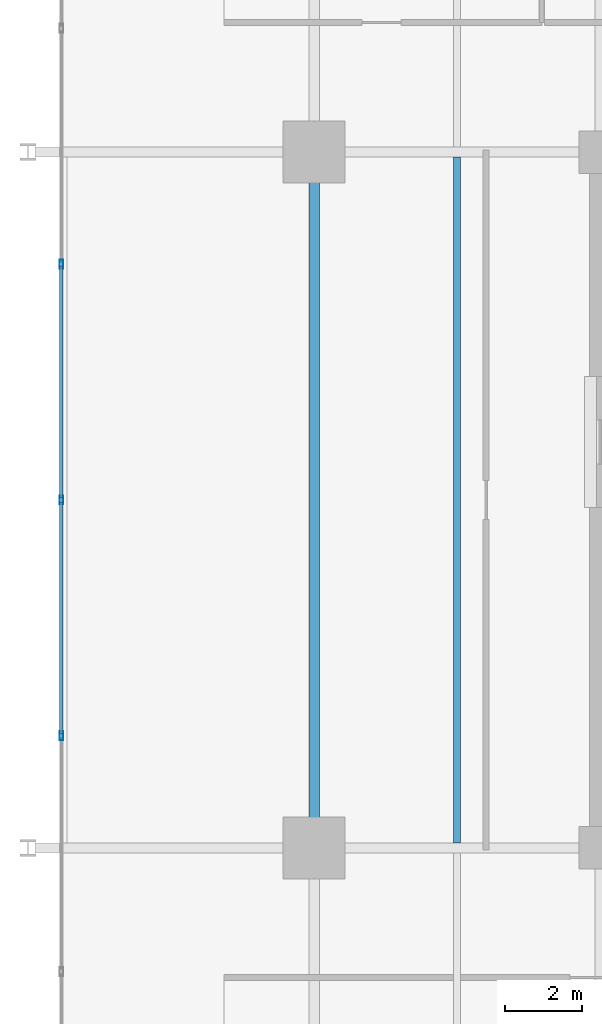
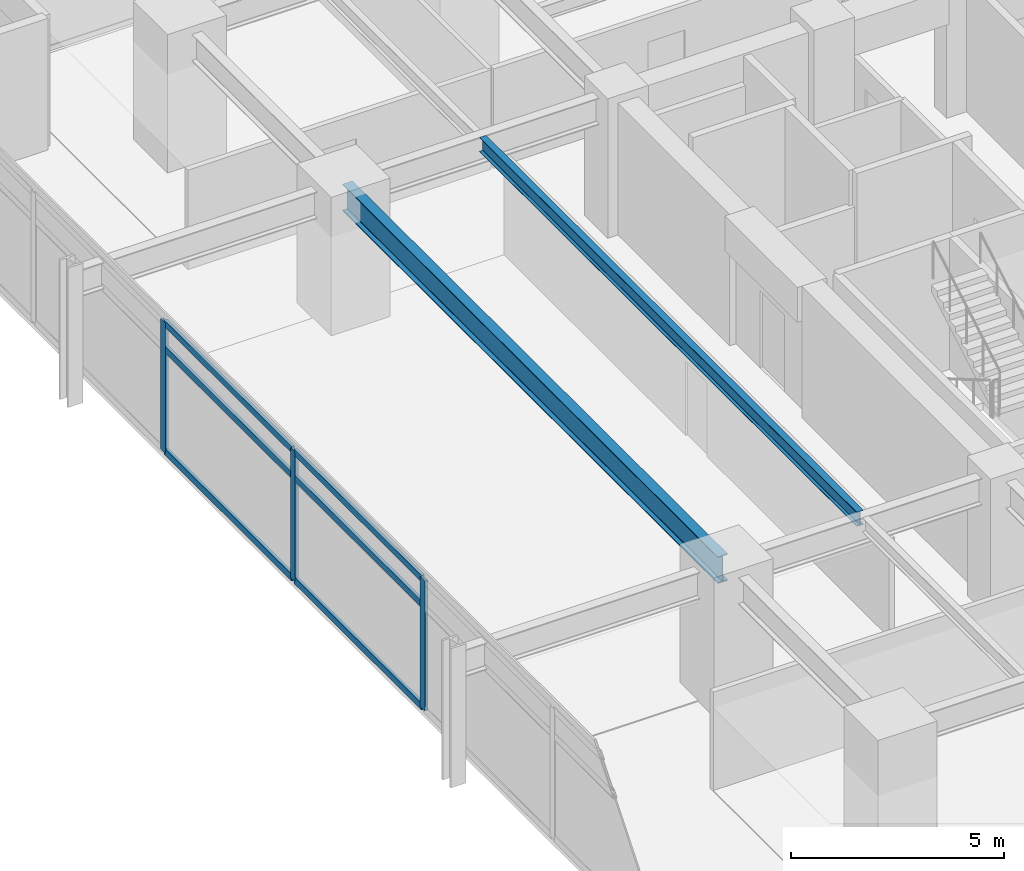
# One storey, part 4 of 21: 9 members, 2 beams, 1 element without a shape of its own.
"""IFC4 building model written with IfcOpenShell, lengths in metres."""

import ifcopenshell
import ifcopenshell.guid

model = None  # the IFC model being written
_history = None  # IfcOwnerHistory: only IFC2X3 demands one
_inside = {}  # id of a spatial element -> (the spatial element, [elements in it])
_under = {}  # id of a project, library or spatial element -> (it, [spatial elements below it])
_declared = {}  # id of a project -> (the project, [libraries it declares])
_typed = {}  # id of a type object -> (the type object, [elements of that type])
_made_of = {}  # id of a material, layer set ... -> (it, [elements and type objects made of it])


def new_model(schema):
    """Start an empty IFC model of exactly this schema.

    Asked for "IFC4X3", IfcOpenShell would pick the latest addendum, in which some entities
    have other attributes; the version numbers below select the first issue.
    IFC2X3 requires an IfcOwnerHistory on every rooted entity: one is made here for all.
    """
    global model, _history
    if schema == "IFC4X3":
        model = ifcopenshell.file(schema_version=(4, 3, 0, 0))
    else:
        model = ifcopenshell.file(schema=schema)
    _inside.clear()
    _under.clear()
    _declared.clear()
    _typed.clear()
    _made_of.clear()
    _history = None
    if model.schema == "IFC2X3":
        org = make("IfcOrganization", Name="unknown")
        user = make(
            "IfcPersonAndOrganization",
            ThePerson=make("IfcPerson", FamilyName="unknown"),
            TheOrganization=org,
        )
        app = make(
            "IfcApplication",
            ApplicationDeveloper=org,
            Version="unknown",
            ApplicationFullName="unknown",
            ApplicationIdentifier="unknown",
        )
        _history = make(
            "IfcOwnerHistory",
            OwningUser=user,
            OwningApplication=app,
            ChangeAction="ADDED",
            CreationDate=0,
        )
    return model


def make(cls, **values):
    """One entity of the class cls with the attributes given. An attribute that is None is left unset."""
    return model.create_entity(
        cls, **{name: value for name, value in values.items() if value is not None}
    )


def rooted(cls, **values):
    """An entity with a GlobalId (a new one), such as an element, a storey or a relation."""
    return make(cls, GlobalId=ifcopenshell.guid.new(), OwnerHistory=_history, **values)


def si_unit(unit_type, name, prefix=None):
    """IfcSIUnit, for example si_unit("LENGTHUNIT", "METRE", prefix="MILLI")."""
    return make("IfcSIUnit", UnitType=unit_type, Prefix=prefix, Name=name)


def assignment(units):
    """IfcUnitAssignment: the units of a project."""
    return None if units is None else make("IfcUnitAssignment", Units=units)


def point(xyz):
    """IfcCartesianPoint."""
    return None if xyz is None else make("IfcCartesianPoint", Coordinates=xyz)


def direction(xyz):
    """IfcDirection."""
    return None if xyz is None else make("IfcDirection", DirectionRatios=xyz)


def frame(location, z_axis=None, x_axis=None):
    """IfcAxis2Placement3D, a coordinate frame: its origin and axes. An axis left out is left unset."""
    return make(
        "IfcAxis2Placement3D",
        Location=point(location),
        Axis=direction(z_axis),
        RefDirection=direction(x_axis),
    )


def frame_2d(location, x_axis=None):
    """IfcAxis2Placement2D, a coordinate frame in the plane: its origin and x axis."""
    return make(
        "IfcAxis2Placement2D", Location=point(location), RefDirection=direction(x_axis)
    )


def origin():
    """The frame at (0, 0, 0) with its axes left unset."""
    return frame((0.0, 0.0, 0.0))


def origin_2d():
    """The frame at (0, 0) in the plane with its x axis left unset."""
    return frame_2d((0.0, 0.0))


def place(relative_to, where):
    """IfcLocalPlacement: puts the frame where relative to a parent placement (None: the world)."""
    return make(
        "IfcLocalPlacement", PlacementRelTo=relative_to, RelativePlacement=where
    )


def context(
    kind, dimensions, precision=None, world=None, true_north=None, identifier=None
):
    """IfcGeometricRepresentationContext, for example the 3D "Model" context."""
    return make(
        "IfcGeometricRepresentationContext",
        ContextIdentifier=identifier,
        ContextType=kind,
        CoordinateSpaceDimension=dimensions,
        Precision=precision,
        WorldCoordinateSystem=world,
        TrueNorth=true_north,
    )


def subcontext(parent, identifier, kind, view, scale=None):
    """IfcGeometricRepresentationSubContext, for example "Body" below "Model"."""
    return make(
        "IfcGeometricRepresentationSubContext",
        ContextIdentifier=identifier,
        ContextType=kind,
        ParentContext=parent,
        TargetScale=scale,
        TargetView=view,
    )


def project(units=None, contexts=None):
    """IfcProject with its units and contexts."""
    return rooted(
        "IfcProject",
        Name="project",
        RepresentationContexts=contexts,
        UnitsInContext=assignment(units),
    )


def spatial(cls, under=None, at=None, **own):
    """A site, building, storey or space (cls), placed at a placement, below another one or the project."""
    s = rooted(cls, ObjectPlacement=at, **own)
    if under is not None:
        _under.setdefault(under.id(), (under, []))[1].append(s)
    return s


def profile(cls, at=None, kind="AREA", **sizes):
    """A parametric profile (cls). Its sizes go by their IFC names, for example OverallWidth=200.0."""
    return make(cls, ProfileType=kind, Position=at, **sizes)


def hollow_rectangle(**sizes):
    """IfcRectangleHollowProfileDef."""
    return profile("IfcRectangleHollowProfileDef", **sizes)


def i_section(**sizes):
    """IfcIShapeProfileDef."""
    return profile("IfcIShapeProfileDef", **sizes)


def extrude(swept, where, along, depth):
    """IfcExtrudedAreaSolid: the profile swept, set in the frame where, extruded along a direction by depth."""
    return make(
        "IfcExtrudedAreaSolid",
        SweptArea=swept,
        Position=where,
        ExtrudedDirection=direction(along),
        Depth=depth,
    )


def shape(context_of_items, identifier, shape_type, items):
    """IfcShapeRepresentation: the items that make up one representation, for example the "Body"."""
    return make(
        "IfcShapeRepresentation",
        ContextOfItems=context_of_items,
        RepresentationIdentifier=identifier,
        RepresentationType=shape_type,
        Items=items,
    )


def material(Name=None, Category=None):
    """IfcMaterial."""
    return make("IfcMaterial", Name=Name, Category=Category)


def material_profile(
    of_material, cross_section, Name=None, Category=None, Priority=None
):
    """IfcMaterialProfile: a cross section and its material."""
    return make(
        "IfcMaterialProfile",
        Name=Name,
        Material=of_material,
        Profile=cross_section,
        Priority=Priority,
        Category=Category,
    )


def profile_set(profiles, Name=None, composite=None):
    """IfcMaterialProfileSet."""
    return make(
        "IfcMaterialProfileSet",
        Name=Name,
        MaterialProfiles=profiles,
        CompositeProfile=composite,
    )


def made_of(thing, what):
    """Note that an element or type object is made of a material, layer set ...; save() writes the relation."""
    if what is not None:
        _made_of.setdefault(what.id(), (what, []))[1].append(thing)
    return thing


def type_object(cls, material=None, **own):
    """A type object (cls), such as IfcWallType, which elements share."""
    return made_of(rooted(cls, **own), material)


def element(
    cls,
    number,
    at=None,
    inside=None,
    cuts=None,
    type_object=None,
    material=None,
    context=None,
    identifier="Body",
    shape_type=None,
    held_by="IfcProductDefinitionShape",
    body=None,
    shapes=None,
    **own,
):
    """One element of the class cls, such as IfcWall. Its Tag is "e" and its number.

    at: its placement. inside: the storey or other place that contains it. cuts: it is an
    opening in that element (IfcRelVoidsElement). A single representation is given by context,
    identifier, shape_type and body (its items); several are given by shapes. held_by: the class
    of the entity that holds the representations. save() writes the other relations.
    """
    e = rooted(cls, Tag="e%d" % number, ObjectPlacement=at, **own)
    if body is not None:
        shapes = [shape(context, identifier, shape_type, body)]
    if shapes is not None:
        e.Representation = make(held_by, Representations=shapes)
    if inside is not None:
        _inside.setdefault(inside.id(), (inside, []))[1].append(e)
    if cuts is not None:
        rooted(
            "IfcRelVoidsElement", RelatingBuildingElement=cuts, RelatedOpeningElement=e
        )
    if type_object is not None:
        _typed.setdefault(type_object.id(), (type_object, []))[1].append(e)
    return made_of(e, material)


def aggregate(whole, parts):
    """IfcRelAggregates: a whole, such as a stair, and the parts it consists of."""
    return rooted("IfcRelAggregates", RelatingObject=whole, RelatedObjects=parts)


def save(model, path):
    """Write the relations noted so far, then the file.

    IfcRelAggregates (storeys below a building ...), IfcRelContainedInSpatialStructure (elements
    in a storey), IfcRelDefinesByType, IfcRelAssociatesMaterial and IfcRelDeclares: one each for
    every whole, place, type object, material and project.
    """
    for whole, parts in _under.values():
        aggregate(whole, parts)
    for where, things in _inside.values():
        rooted(
            "IfcRelContainedInSpatialStructure",
            RelatedElements=things,
            RelatingStructure=where,
        )
    for kind, things in _typed.values():
        rooted("IfcRelDefinesByType", RelatedObjects=things, RelatingType=kind)
    for what, things in _made_of.values():
        rooted("IfcRelAssociatesMaterial", RelatedObjects=things, RelatingMaterial=what)
    for by, libraries in _declared.values():
        rooted("IfcRelDeclares", RelatingContext=by, RelatedDefinitions=libraries)
    model.write(path)


model = new_model("IFC4")

# Units and contexts
model_context = context("Model", 3, precision=1e-05, world=origin(), true_north=direction((0.0, 1.0)))
body_context = subcontext(model_context, "Body", "Model", "MODEL_VIEW")
ifc_project = project(units=[si_unit("LENGTHUNIT", "METRE"), si_unit("AREAUNIT", "SQUARE_METRE"), si_unit("VOLUMEUNIT", "CUBIC_METRE"), si_unit("PLANEANGLEUNIT", "RADIAN"), si_unit("MASSUNIT", "GRAM", prefix="KILO")], contexts=[model_context])

# Site, building, storey
site_placement = place(None, origin())
site = spatial("IfcSite", under=ifc_project, at=site_placement, CompositionType="ELEMENT")
building_placement = place(site_placement, origin())
building = spatial("IfcBuilding", under=site, at=building_placement, Name="Kovane Verandah Tower", CompositionType="ELEMENT")
storey_placement = place(building_placement, frame((0.0, 0.0, 176.39990234375)))
storey = spatial("IfcBuildingStorey", under=building, at=storey_placement, Name="L41", CompositionType="ELEMENT", Elevation=176.39990234375)

# Beam
ifc_material_1 = material(Name="Steel S355", Category="steel")
ifc_material_profile_1 = material_profile(ifc_material_1, i_section(OverallWidth=0.26806640625, OverallDepth=0.769775390625, WebThickness=0.015625, FlangeThickness=0.025390625, FilletRadius=0.0166015625, at=origin_2d()), Name="UB762x267x197")
ifc_profile_set_1 = profile_set([ifc_material_profile_1], Name="Steel S355")
beam_type_1 = type_object("IfcBeamType", Name="BM-UB762x197", PredefinedType="BEAM", material=ifc_profile_set_1)
beam_1_placement = place(storey_placement, frame((21.60009765625, 18.679931640625, 3.39013671875), z_axis=(0.0, 1.0, 0.0), x_axis=(-1.0, 0.0, 0.0)))
element("IfcBeam", 1, at=beam_1_placement, inside=storey, type_object=beam_type_1, Name="L41 Primary Tower Girder G-RW2", PredefinedType="BEAM", context=body_context, shape_type="SweptSolid", body=[
    extrude(i_section(OverallWidth=0.26806640625, OverallDepth=0.769775390625, WebThickness=0.015625, FlangeThickness=0.025390625, FilletRadius=0.0166015625, at=origin_2d()), origin(), (0.0, 0.0, 1.0), 17.64013671875),
])

# Curtain wall, members
ifc_material_2 = material(Name="Champagne Anodised Aluminium Frame with Low-E Clear Laminated Glass", Category="aluminium")
curtain_wall_type = type_object("IfcCurtainWallType", Name="CW-SYS-03-MID", PredefinedType="NOTDEFINED", material=ifc_material_2)
curtain_wall_placement = place(storey_placement, origin())
curtain_wall = element("IfcCurtainWall", 2, at=curtain_wall_placement, inside=storey, type_object=curtain_wall_type, Name="L41 W Unitised Curtain Wall", PredefinedType="NOTDEFINED")
ifc_material_3 = material(Name="Champagne Anodised Aluminium 6063-T6", Category="aluminium")
ifc_material_profile_2 = material_profile(ifc_material_3, hollow_rectangle(XDim=0.0849609375, YDim=0.22998046875, WallThickness=0.00390625, at=origin_2d()), Name="AL85x230x4")
ifc_profile_set_2 = profile_set([ifc_material_profile_2], Name="Champagne Anodised Aluminium 6063-T6")
member_type_1 = type_object("IfcMemberType", Name="CW-MUL-85x230", PredefinedType="MULLION", material=ifc_profile_set_2)
member_1_placement = place(storey_placement, frame((15.064208984375, 33.598388671875, 0.02001953125), z_axis=(0.0, 0.0, 1.0), x_axis=(-1.0, 0.0, 0.0)))
member_1 = element("IfcMember", 3, at=member_1_placement, type_object=member_type_1, Name="L41 W Unitised Curtain Wall Mullion 3", PredefinedType="MULLION", context=body_context, shape_type="SweptSolid", body=[
    extrude(hollow_rectangle(XDim=0.0849609375, YDim=0.22998046875, WallThickness=0.00390625, at=origin_2d()), origin(), (0.0, 0.0, 1.0), 3.735107421875),
])
member_2_placement = place(storey_placement, frame((15.064208984375, 27.5, 0.02001953125), z_axis=(0.0, 0.0, 1.0), x_axis=(-1.0, 0.0, 0.0)))
member_2 = element("IfcMember", 4, at=member_2_placement, type_object=member_type_1, Name="L41 W Unitised Curtain Wall Mullion 4", PredefinedType="MULLION", context=body_context, shape_type="SweptSolid", body=[
    extrude(hollow_rectangle(XDim=0.0849609375, YDim=0.22998046875, WallThickness=0.00390625, at=origin_2d()), origin(), (0.0, 0.0, 1.0), 3.735107421875),
])
member_3_placement = place(storey_placement, frame((15.064208984375, 21.401611328125, 0.02001953125), z_axis=(0.0, 0.0, 1.0), x_axis=(-1.0, 0.0, 0.0)))
member_3 = element("IfcMember", 5, at=member_3_placement, type_object=member_type_1, Name="L41 W Unitised Curtain Wall Mullion 5", PredefinedType="MULLION", context=body_context, shape_type="SweptSolid", body=[
    extrude(hollow_rectangle(XDim=0.0849609375, YDim=0.22998046875, WallThickness=0.00390625, at=origin_2d()), origin(), (0.0, 0.0, 1.0), 3.735107421875),
])
ifc_material_profile_3 = material_profile(ifc_material_3, hollow_rectangle(XDim=0.0849609375, YDim=0.18994140625, WallThickness=0.00390625, at=origin_2d()), Name="AL85x190x4")
ifc_profile_set_3 = profile_set([ifc_material_profile_3], Name="Champagne Anodised Aluminium 6063-T6")
member_type_2 = type_object("IfcMemberType", Name="CW-TRN-85x190", PredefinedType="USERDEFINED", material=ifc_profile_set_3)
member_4_placement = place(storey_placement, frame((15.064208984375, 33.54833984375, 0.050048828125), z_axis=(0.0, -1.0, 0.0), x_axis=(1.0, 0.0, 0.0)))
member_4 = element("IfcMember", 6, at=member_4_placement, type_object=member_type_2, Name="L41 W Unitised Curtain Wall Transom TB Bay 3", ObjectType="TRANSOM", PredefinedType="USERDEFINED", context=body_context, shape_type="SweptSolid", body=[
    extrude(hollow_rectangle(XDim=0.0849609375, YDim=0.18994140625, WallThickness=0.00390625, at=origin_2d()), origin(), (0.0, 0.0, 1.0), 5.998291015625),
])
member_5_placement = place(storey_placement, frame((15.064208984375, 33.54833984375, 2.9951171875), z_axis=(0.0, -1.0, 0.0), x_axis=(1.0, 0.0, 0.0)))
member_5 = element("IfcMember", 7, at=member_5_placement, type_object=member_type_2, Name="L41 W Unitised Curtain Wall Transom TM Bay 3", ObjectType="TRANSOM", PredefinedType="USERDEFINED", context=body_context, shape_type="SweptSolid", body=[
    extrude(hollow_rectangle(XDim=0.0849609375, YDim=0.18994140625, WallThickness=0.00390625, at=origin_2d()), origin(), (0.0, 0.0, 1.0), 5.998291015625),
])
member_6_placement = place(storey_placement, frame((15.064208984375, 33.54833984375, 3.72509765625), z_axis=(0.0, -1.0, 0.0), x_axis=(1.0, 0.0, 0.0)))
member_6 = element("IfcMember", 8, at=member_6_placement, type_object=member_type_2, Name="L41 W Unitised Curtain Wall Transom TT Bay 3", ObjectType="TRANSOM", PredefinedType="USERDEFINED", context=body_context, shape_type="SweptSolid", body=[
    extrude(hollow_rectangle(XDim=0.0849609375, YDim=0.18994140625, WallThickness=0.00390625, at=origin_2d()), origin(), (0.0, 0.0, 1.0), 5.998291015625),
])
member_7_placement = place(storey_placement, frame((15.064208984375, 27.449951171875, 0.050048828125), z_axis=(0.0, -1.0, 0.0), x_axis=(1.0, 0.0, 0.0)))
member_7 = element("IfcMember", 9, at=member_7_placement, type_object=member_type_2, Name="L41 W Unitised Curtain Wall Transom TB Bay 4", ObjectType="TRANSOM", PredefinedType="USERDEFINED", context=body_context, shape_type="SweptSolid", body=[
    extrude(hollow_rectangle(XDim=0.0849609375, YDim=0.18994140625, WallThickness=0.00390625, at=origin_2d()), origin(), (0.0, 0.0, 1.0), 5.998291015625),
])
member_8_placement = place(storey_placement, frame((15.064208984375, 27.449951171875, 2.9951171875), z_axis=(0.0, -1.0, 0.0), x_axis=(1.0, 0.0, 0.0)))
member_8 = element("IfcMember", 10, at=member_8_placement, type_object=member_type_2, Name="L41 W Unitised Curtain Wall Transom TM Bay 4", ObjectType="TRANSOM", PredefinedType="USERDEFINED", context=body_context, shape_type="SweptSolid", body=[
    extrude(hollow_rectangle(XDim=0.0849609375, YDim=0.18994140625, WallThickness=0.00390625, at=origin_2d()), origin(), (0.0, 0.0, 1.0), 5.998291015625),
])
member_9_placement = place(storey_placement, frame((15.064208984375, 27.449951171875, 3.72509765625), z_axis=(0.0, -1.0, 0.0), x_axis=(1.0, 0.0, 0.0)))
member_9 = element("IfcMember", 11, at=member_9_placement, type_object=member_type_2, Name="L41 W Unitised Curtain Wall Transom TT Bay 4", ObjectType="TRANSOM", PredefinedType="USERDEFINED", context=body_context, shape_type="SweptSolid", body=[
    extrude(hollow_rectangle(XDim=0.0849609375, YDim=0.18994140625, WallThickness=0.00390625, at=origin_2d()), origin(), (0.0, 0.0, 1.0), 5.998291015625),
])
aggregate(curtain_wall, [member_1, member_2, member_3, member_4, member_5, member_6, member_7, member_8, member_9])

# Beam
ifc_material_profile_4 = material_profile(ifc_material_1, i_section(OverallWidth=0.179443359375, OverallDepth=0.412841796875, WebThickness=0.009521484375, FlangeThickness=0.01611328125, FilletRadius=0.01025390625, at=origin_2d()), Name="UB406x178x74")
ifc_profile_set_4 = profile_set([ifc_material_profile_4], Name="Steel S355")
beam_type_2 = type_object("IfcBeamType", Name="JST-UB406x74", PredefinedType="JOIST", material=ifc_profile_set_4)
beam_2_placement = place(storey_placement, frame((25.300048828125, 18.632080078125, 3.568603515625), z_axis=(0.0, 1.0, 0.0), x_axis=(-1.0, 0.0, 0.0)))
element("IfcBeam", 12, at=beam_2_placement, inside=storey, type_object=beam_type_2, Name="L41 Secondary Composite Joist J-W1", PredefinedType="JOIST", context=body_context, shape_type="SweptSolid", body=[
    extrude(i_section(OverallWidth=0.179443359375, OverallDepth=0.412841796875, WebThickness=0.009521484375, FlangeThickness=0.01611328125, FilletRadius=0.01025390625, at=origin_2d()), origin(), (0.0, 0.0, 1.0), 17.73583984375),
])

save(model, "model.ifc")
